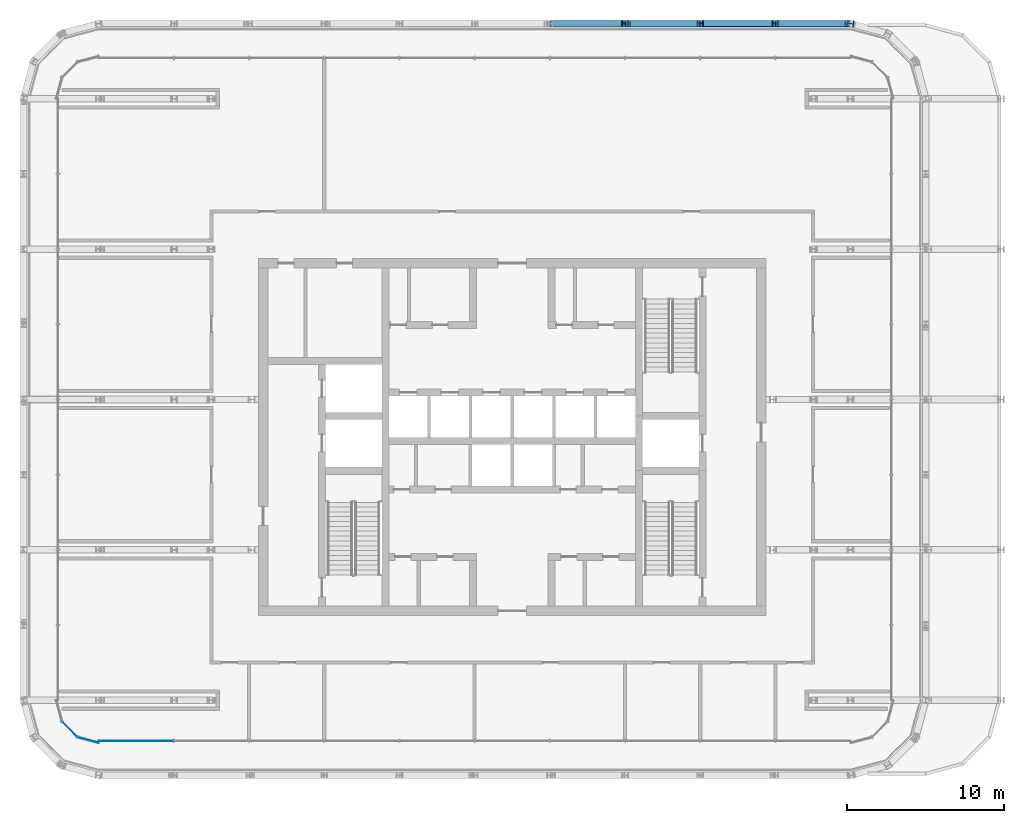
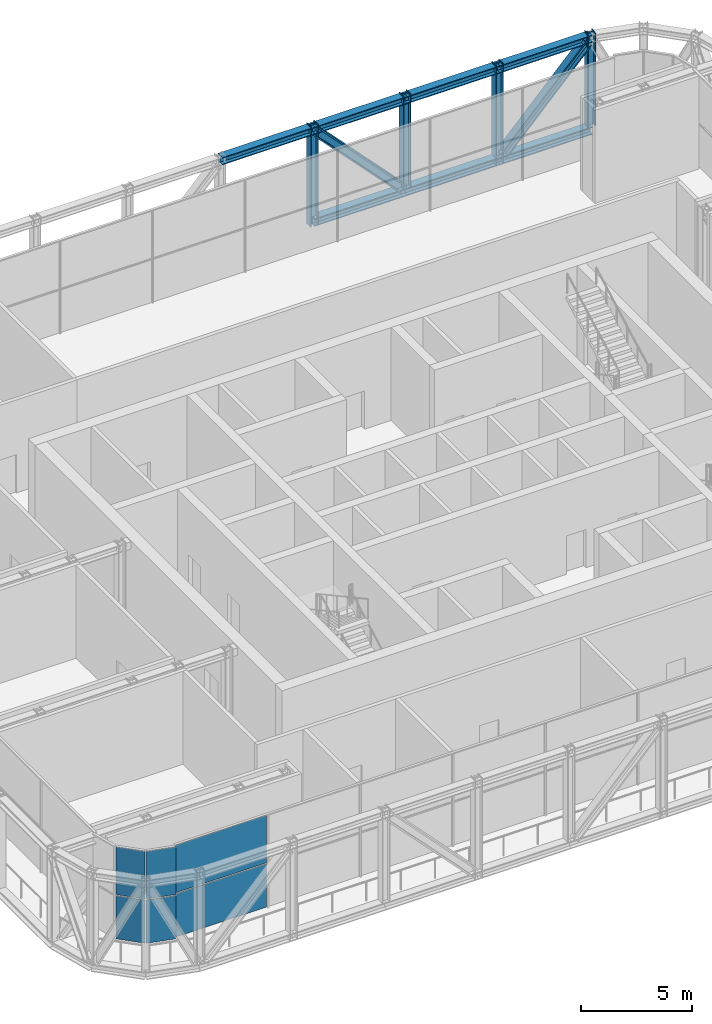
# One storey, part 15 of 26: 13 members, 6 plates, 2 elements without a shape of their own.
"""IFC4 building model written with IfcOpenShell, lengths in metres."""

from ifc_helpers import new_model, si_unit, direction, frame, origin, origin_2d, place, context, subcontext, project, spatial, rectangle, i_section, extrude, material, layer, layer_set, material_profile, profile_set, type_object, element, aggregate, save


model = new_model("IFC4")

# Units and contexts
model_context = context("Model", 3, precision=1e-05, world=origin(), true_north=direction((0.0, 1.0)))
body_context = subcontext(model_context, "Body", "Model", "MODEL_VIEW")
ifc_project = project(units=[si_unit("LENGTHUNIT", "METRE"), si_unit("AREAUNIT", "SQUARE_METRE"), si_unit("VOLUMEUNIT", "CUBIC_METRE"), si_unit("PLANEANGLEUNIT", "RADIAN"), si_unit("MASSUNIT", "GRAM", prefix="KILO")], contexts=[model_context])

# Site, building, storey
site_placement = place(None, origin())
site = spatial("IfcSite", under=ifc_project, at=site_placement, CompositionType="ELEMENT")
building_placement = place(site_placement, origin())
building = spatial("IfcBuilding", under=site, at=building_placement, Name="Madar Terraces", CompositionType="ELEMENT")
storey_placement = place(building_placement, frame((0.0, 0.0, 233.300048828125)))
storey = spatial("IfcBuildingStorey", under=building, at=storey_placement, Name="L61", CompositionType="ELEMENT", Elevation=233.300048828125)

# Members
ifc_material_1 = material(Name="Steel ASTM A992 Grade 50", Category="steel")
ifc_material_profile_1 = material_profile(ifc_material_1, i_section(OverallWidth=0.408935546875, OverallDepth=0.424072265625, WebThickness=0.03271484375, FlangeThickness=0.052490234375, at=origin_2d()), Name="W14x283")
ifc_profile_set_1 = profile_set([ifc_material_profile_1], Name="Steel ASTM A992 Grade 50")
member_type_1 = type_object("IfcMemberType", Name="BC8 W14x283", PredefinedType="CHORD", material=ifc_profile_set_1)
for number, where, z_axis, x_axis, name in (
    (1, (52.800048828125, 52.800048828125, -0.2080078125), (-1.0, 0.0, 0.0), (0.0, -1.0, 0.0), "Exoskeleton truss ring bottom chord BC8"),
    (2, (48.0, 52.800048828125, -0.2080078125), (-1.0, 0.0, 0.0), (0.0, -1.0, 0.0), "Exoskeleton truss ring bottom chord BC8"),
    (3, (43.199951171875, 52.800048828125, -0.2080078125), (-1.0, 0.0, 0.0), (0.0, -1.0, 0.0), "Exoskeleton truss ring bottom chord BC8"),
):
    element("IfcMember", number, at=place(storey_placement, frame(where, z_axis=z_axis, x_axis=x_axis)), inside=storey, type_object=member_type_1, Name=name, PredefinedType="CHORD", context=body_context, shape_type="SweptSolid", body=[
        extrude(i_section(OverallWidth=0.408935546875, OverallDepth=0.424072265625, WebThickness=0.03271484375, FlangeThickness=0.052490234375, at=origin_2d()), origin(), (0.0, 0.0, 1.0), 4.800048828125),
    ])
ifc_material_2 = material(Name="Steel ASTM A992 Grade 50", Category="steel")
ifc_material_profile_2 = material_profile(ifc_material_2, i_section(OverallWidth=0.40380859375, OverallDepth=0.406494140625, WebThickness=0.027099609375, FlangeThickness=0.043701171875, at=origin_2d()), Name="W14x233")
ifc_profile_set_2 = profile_set([ifc_material_profile_2], Name="Steel ASTM A992 Grade 50")
member_type_2 = type_object("IfcMemberType", Name="TC8 W14x233", PredefinedType="CHORD", material=ifc_profile_set_2)
for number, where, z_axis, x_axis, name in (
    (4, (52.800048828125, 52.800048828125, 4.82666015625), (-1.0, 0.0, 0.0), (0.0, -1.0, 0.0), "Exoskeleton truss ring top chord TC8"),
    (5, (48.0, 52.800048828125, 4.82666015625), (-1.0, 0.0, 0.0), (0.0, -1.0, 0.0), "Exoskeleton truss ring top chord TC8"),
    (6, (43.199951171875, 52.800048828125, 4.82666015625), (-1.0, 0.0, 0.0), (0.0, -1.0, 0.0), "Exoskeleton truss ring top chord TC8"),
):
    element("IfcMember", number, at=place(storey_placement, frame(where, z_axis=z_axis, x_axis=x_axis)), inside=storey, type_object=member_type_2, Name=name, PredefinedType="CHORD", context=body_context, shape_type="SweptSolid", body=[
        extrude(i_section(OverallWidth=0.40380859375, OverallDepth=0.406494140625, WebThickness=0.027099609375, FlangeThickness=0.043701171875, at=origin_2d()), origin(), (0.0, 0.0, 1.0), 4.800048828125),
    ])
member_1_placement = place(storey_placement, frame((38.39990234375, 52.800048828125, 4.82666015625), z_axis=(-1.0, 0.0, 0.0), x_axis=(0.0, -1.0, 0.0)))
element("IfcMember", 7, at=member_1_placement, inside=storey, type_object=member_type_2, Name="Exoskeleton truss ring top chord TC8", PredefinedType="CHORD", context=body_context, shape_type="SweptSolid", body=[
    extrude(i_section(OverallWidth=0.40380859375, OverallDepth=0.406494140625, WebThickness=0.027099609375, FlangeThickness=0.043701171875, at=origin_2d()), origin(), (0.0, 0.0, 1.0), 4.7998046875),
])
ifc_material_3 = material(Name="Steel ASTM A992 Grade 50", Category="steel")
ifc_material_profile_3 = material_profile(ifc_material_3, i_section(OverallWidth=0.419189453125, OverallDepth=0.45458984375, WebThickness=0.042236328125, FlangeThickness=0.067626953125, at=origin_2d()), Name="W14x370")
ifc_profile_set_3 = profile_set([ifc_material_profile_3], Name="Steel ASTM A992 Grade 50")
member_type_3 = type_object("IfcMemberType", Name="TD8 W14x370", PredefinedType="BRACE", material=ifc_profile_set_3)
for number, where, z_axis, x_axis, name in (
    (8, (52.606201171875, 52.800048828125, 4.62353515625), (-0.690036191516, 0.0, -0.723774864442), (0.0, -1.0, 0.0), "Exoskeleton truss ring diagonal TD8"),
    (9, (42.997802734375, 52.800048828125, 0.004150390625), (-0.690036191516, 0.0, 0.723774864442), (0.0, -1.0, 0.0), "Exoskeleton truss ring diagonal TD8"),
):
    element("IfcMember", number, at=place(storey_placement, frame(where, z_axis=z_axis, x_axis=x_axis)), inside=storey, type_object=member_type_3, Name=name, PredefinedType="BRACE", context=body_context, shape_type="SweptSolid", body=[
        extrude(i_section(OverallWidth=0.419189453125, OverallDepth=0.45458984375, WebThickness=0.042236328125, FlangeThickness=0.067626953125, at=origin_2d()), origin(), (0.0, 0.0, 1.0), 6.38232421875),
    ])
ifc_material_4 = material(Name="Steel ASTM A992 Grade 50", Category="steel")
ifc_material_profile_4 = material_profile(ifc_material_4, i_section(OverallWidth=0.398681640625, OverallDepth=0.393798828125, WebThickness=0.022705078125, FlangeThickness=0.03662109375, at=origin_2d()), Name="W14x193")
ifc_profile_set_4 = profile_set([ifc_material_profile_4], Name="Steel ASTM A992 Grade 50")
member_type_4 = type_object("IfcMemberType", Name="TV8 W14x193", PredefinedType="POST", material=ifc_profile_set_4)
member_2_placement = place(storey_placement, frame((52.800048828125, 52.800048828125, 0.004150390625), z_axis=(0.0, 0.0, 1.0), x_axis=(-0.130526174916, -0.991444863652, 0.0)))
element("IfcMember", 10, at=member_2_placement, inside=storey, type_object=member_type_4, Name="Exoskeleton truss ring post TV8", PredefinedType="POST", context=body_context, shape_type="SweptSolid", body=[
    extrude(i_section(OverallWidth=0.398681640625, OverallDepth=0.393798828125, WebThickness=0.022705078125, FlangeThickness=0.03662109375, at=origin_2d()), origin(), (0.0, 0.0, 1.0), 5.095703125),
])
member_3_placement = place(storey_placement, frame((48.0, 52.800048828125, -0.420166015625), z_axis=(0.0, 0.0, 1.0), x_axis=(0.0, -1.0, 0.0)))
element("IfcMember", 11, at=member_3_placement, inside=storey, type_object=member_type_4, Name="Exoskeleton truss ring post TV8", PredefinedType="POST", context=body_context, shape_type="SweptSolid", body=[
    extrude(i_section(OverallWidth=0.398681640625, OverallDepth=0.393798828125, WebThickness=0.022705078125, FlangeThickness=0.03662109375, at=origin_2d()), origin(), (0.0, 0.0, 1.0), 5.52001953125),
])
member_4_placement = place(storey_placement, frame((43.199951171875, 52.800048828125, 0.004150390625), z_axis=(0.0, 0.0, 1.0), x_axis=(0.0, -1.0, 0.0)))
element("IfcMember", 12, at=member_4_placement, inside=storey, type_object=member_type_4, Name="Exoskeleton truss ring post TV8", PredefinedType="POST", context=body_context, shape_type="SweptSolid", body=[
    extrude(i_section(OverallWidth=0.398681640625, OverallDepth=0.393798828125, WebThickness=0.022705078125, FlangeThickness=0.03662109375, at=origin_2d()), origin(), (0.0, 0.0, 1.0), 5.095703125),
])
member_5_placement = place(storey_placement, frame((38.39990234375, 52.800048828125, -0.420166015625), z_axis=(0.0, 0.0, 1.0), x_axis=(0.0, -1.0, 0.0)))
element("IfcMember", 13, at=member_5_placement, inside=storey, type_object=member_type_4, Name="Exoskeleton truss ring post TV8", PredefinedType="POST", context=body_context, shape_type="SweptSolid", body=[
    extrude(i_section(OverallWidth=0.398681640625, OverallDepth=0.393798828125, WebThickness=0.022705078125, FlangeThickness=0.03662109375, at=origin_2d()), origin(), (0.0, 0.0, 1.0), 5.52001953125),
])

# Curtain wall, plates
ifc_material_5 = material(Name="Glass, ceramic frit dark grey, with black aluminium frame", Category="aluminium")
ifc_layer_1 = layer(ifc_material_5, 0.199951171875)
ifc_layer_set_1 = layer_set([ifc_layer_1], Name="Facade curtain wall, tall glazing")
curtain_wall_type = type_object("IfcCurtainWallType", Name="Facade curtain wall, tall glazing", PredefinedType="NOTDEFINED", material=ifc_layer_set_1)
curtain_wall_1_placement = place(storey_placement, origin())
curtain_wall_1 = element("IfcCurtainWall", 14, at=curtain_wall_1_placement, inside=storey, type_object=curtain_wall_type, Name="Outer skin curtain wall south bay 1", PredefinedType="NOTDEFINED")
ifc_material_6 = material(Name="Glass, ceramic frit dark grey", Category="glass")
ifc_layer_2 = layer(ifc_material_6, 0.028076171875)
ifc_layer_set_2 = layer_set([ifc_layer_2], Name="Facade glass panel 28")
plate_type = type_object("IfcPlateType", Name="Facade glass panel 28", PredefinedType="CURTAIN_PANEL", material=ifc_layer_set_2)
plate_1_placement = place(storey_placement, frame((7.18505859375, 7.0, 0.0), z_axis=(0.0, 0.0, 1.0), x_axis=(1.0, 0.0, 0.0)))
plate_1 = element("IfcPlate", 15, at=plate_1_placement, type_object=plate_type, Name="Panel 1", PredefinedType="CURTAIN_PANEL", context=body_context, shape_type="SweptSolid", body=[
    extrude(rectangle(XDim=4.77001953125, YDim=0.028076171875, at=origin_2d()), origin(), (0.0, 0.0, 1.0), 2.3701171875),
])
plate_2_placement = place(storey_placement, frame((7.18505859375, 7.0, 2.4296875), z_axis=(0.0, 0.0, 1.0), x_axis=(1.0, 0.0, 0.0)))
plate_2 = element("IfcPlate", 16, at=plate_2_placement, type_object=plate_type, Name="Panel 2", PredefinedType="CURTAIN_PANEL", context=body_context, shape_type="SweptSolid", body=[
    extrude(rectangle(XDim=4.77001953125, YDim=0.028076171875, at=origin_2d()), origin(), (0.0, 0.0, 1.0), 2.610107421875),
])
aggregate(curtain_wall_1, [plate_1, plate_2])

curtain_wall_2_placement = place(storey_placement, origin())
curtain_wall_2 = element("IfcCurtainWall", 17, at=curtain_wall_2_placement, inside=storey, type_object=curtain_wall_type, Name="Outer skin curtain wall south-west corner", PredefinedType="NOTDEFINED")
plate_3_placement = place(storey_placement, frame((2.942138671875, 7.7421875, 0.0), z_axis=(0.0, 0.0, 1.0), x_axis=(0.707106781187, -0.707106781187, 0.0)))
plate_3 = element("IfcPlate", 18, at=plate_3_placement, type_object=plate_type, Name="Panel 3", PredefinedType="CURTAIN_PANEL", context=body_context, shape_type="SweptSolid", body=[
    extrude(rectangle(XDim=1.347900390625, YDim=0.028076171875, at=origin_2d()), origin(), (0.0, 0.0, 1.0), 2.3701171875),
])
plate_4_placement = place(storey_placement, frame((2.942138671875, 7.7421875, 2.4296875), z_axis=(0.0, 0.0, 1.0), x_axis=(0.707106781187, -0.707106781187, 0.0)))
plate_4 = element("IfcPlate", 19, at=plate_4_placement, type_object=plate_type, Name="Panel 4", PredefinedType="CURTAIN_PANEL", context=body_context, shape_type="SweptSolid", body=[
    extrude(rectangle(XDim=1.347900390625, YDim=0.028076171875, at=origin_2d()), origin(), (0.0, 0.0, 1.0), 2.610107421875),
])
plate_5_placement = place(storey_placement, frame((4.134521484375, 7.058349609375, 0.0), z_axis=(0.0, 0.0, 1.0), x_axis=(0.965925808834, -0.258819110244, 0.0)))
plate_5 = element("IfcPlate", 20, at=plate_5_placement, type_object=plate_type, Name="Panel 5", PredefinedType="CURTAIN_PANEL", context=body_context, shape_type="SweptSolid", body=[
    extrude(rectangle(XDim=1.3779296875, YDim=0.028076171875, at=origin_2d()), origin(), (0.0, 0.0, 1.0), 2.3701171875),
])
plate_6_placement = place(storey_placement, frame((4.134521484375, 7.058349609375, 2.4296875), z_axis=(0.0, 0.0, 1.0), x_axis=(0.965925808834, -0.258819110244, 0.0)))
plate_6 = element("IfcPlate", 21, at=plate_6_placement, type_object=plate_type, Name="Panel 6", PredefinedType="CURTAIN_PANEL", context=body_context, shape_type="SweptSolid", body=[
    extrude(rectangle(XDim=1.3779296875, YDim=0.028076171875, at=origin_2d()), origin(), (0.0, 0.0, 1.0), 2.610107421875),
])
aggregate(curtain_wall_2, [plate_3, plate_4, plate_5, plate_6])

save(model, "model.ifc")
